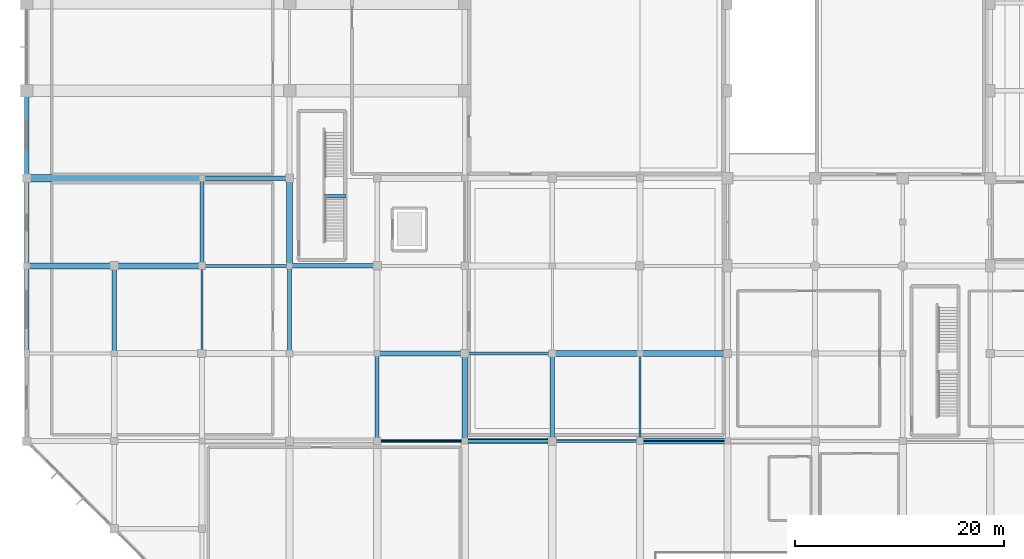
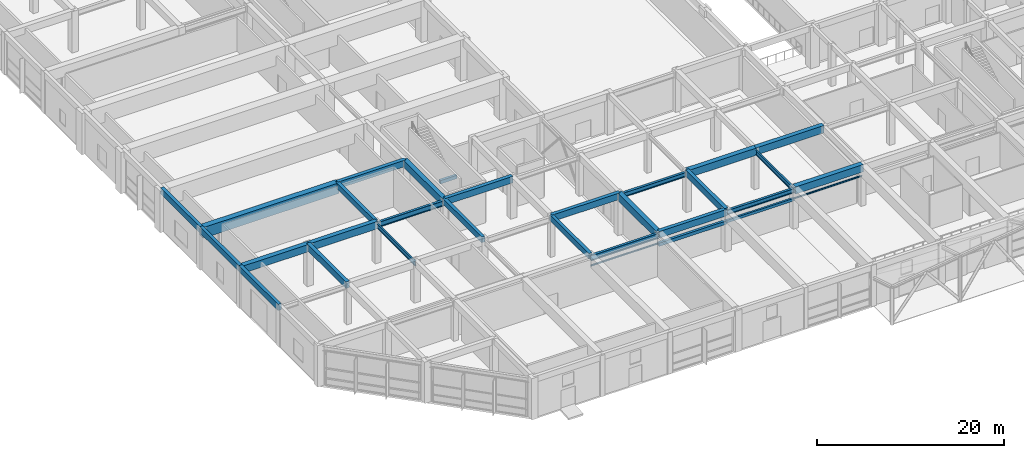
# One storey, part 12 of 62: 31 beams.
"""IFC4 building model written with IfcOpenShell, lengths in metres."""

from ifc_helpers import new_model, si_unit, direction, frame, origin, origin_2d, place, context, subcontext, project, spatial, rectangle, i_section, extrude, material, material_profile, profile_set, type_object, element, save


model = new_model("IFC4")

# Units and contexts
model_context = context("Model", 3, precision=1e-05, world=origin(), true_north=direction((0.0, 1.0)))
body_context = subcontext(model_context, "Body", "Model", "MODEL_VIEW")
ifc_project = project(units=[si_unit("LENGTHUNIT", "METRE"), si_unit("AREAUNIT", "SQUARE_METRE"), si_unit("VOLUMEUNIT", "CUBIC_METRE"), si_unit("PLANEANGLEUNIT", "RADIAN"), si_unit("MASSUNIT", "GRAM", prefix="KILO")], contexts=[model_context])

# Site, building, storey
site_placement = place(None, origin())
site = spatial("IfcSite", under=ifc_project, at=site_placement, CompositionType="ELEMENT")
building_placement = place(site_placement, origin())
building = spatial("IfcBuilding", under=site, at=building_placement, Name="Xuanlan Plaza Opera House", CompositionType="ELEMENT")
storey_placement = place(building_placement, origin())
storey = spatial("IfcBuildingStorey", under=building, at=storey_placement, Name="L00", CompositionType="ELEMENT", Elevation=0.0)

# Beams
ifc_material_1 = material(Name="Concrete C50", Category="concrete")
ifc_material_profile_1 = material_profile(ifc_material_1, rectangle(XDim=0.60009765625, YDim=0.949951171875, at=origin_2d()), Name="RC-BM 600x950")
ifc_profile_set_1 = profile_set([ifc_material_profile_1], Name="Concrete C50")
beam_type_1 = type_object("IfcBeamType", Name="STR-BM-B-01", PredefinedType="BEAM", material=ifc_profile_set_1)
beam_1_placement = place(storey_placement, frame((58.800048828125, 16.800048828125, 4.925048828125), z_axis=(1.0, 0.0, 0.0), x_axis=(0.0, 1.0, 0.0)))
element("IfcBeam", 1, at=beam_1_placement, inside=storey, type_object=beam_type_1, Name="Grid Beam X L00 8-9/C", PredefinedType="BEAM", context=body_context, shape_type="SweptSolid", body=[
    extrude(rectangle(XDim=0.60009765625, YDim=0.949951171875, at=origin_2d()), origin(), (0.0, 0.0, 1.0), 8.39990234375),
])
beam_2_placement = place(storey_placement, frame((50.39990234375, 25.199951171875, 4.925048828125), z_axis=(1.0, 0.0, 0.0), x_axis=(0.0, 1.0, 0.0)))
element("IfcBeam", 2, at=beam_2_placement, inside=storey, type_object=beam_type_1, Name="Grid Beam X L00 7-8/D", PredefinedType="BEAM", context=body_context, shape_type="SweptSolid", body=[
    extrude(rectangle(XDim=0.60009765625, YDim=0.949951171875, at=origin_2d()), origin(), (0.0, 0.0, 1.0), 8.400146484375),
])
beam_3_placement = place(storey_placement, frame((0.0, 33.60009765625, 4.925048828125), z_axis=(1.0, 0.0, 0.0), x_axis=(0.0, 1.0, 0.0)))
element("IfcBeam", 3, at=beam_3_placement, inside=storey, type_object=beam_type_1, Name="Grid Beam X L00 1-2/E", PredefinedType="BEAM", context=body_context, shape_type="SweptSolid", body=[
    extrude(rectangle(XDim=0.60009765625, YDim=0.949951171875, at=origin_2d()), origin(), (0.0, 0.0, 1.0), 8.39990234375),
])
ifc_material_profile_2 = material_profile(ifc_material_1, rectangle(XDim=0.550048828125, YDim=0.949951171875, at=origin_2d()), Name="RC-BM 550x950")
ifc_profile_set_2 = profile_set([ifc_material_profile_2], Name="Concrete C50")
beam_type_2 = type_object("IfcBeamType", Name="STR-BM-B-02", PredefinedType="BEAM", material=ifc_profile_set_2)
beam_4_placement = place(storey_placement, frame((58.800048828125, 25.199951171875, 4.925048828125), z_axis=(1.0, 0.0, 0.0), x_axis=(0.0, 1.0, 0.0)))
element("IfcBeam", 4, at=beam_4_placement, inside=storey, type_object=beam_type_2, Name="Grid Beam X L00 8-9/D", PredefinedType="BEAM", context=body_context, shape_type="SweptSolid", body=[
    extrude(rectangle(XDim=0.550048828125, YDim=0.949951171875, at=origin_2d()), origin(), (0.0, 0.0, 1.0), 8.39990234375),
])
beam_5_placement = place(storey_placement, frame((8.39990234375, 33.60009765625, 4.925048828125), z_axis=(1.0, 0.0, 0.0), x_axis=(0.0, 1.0, 0.0)))
element("IfcBeam", 5, at=beam_5_placement, inside=storey, type_object=beam_type_2, Name="Grid Beam X L00 2-3/E", PredefinedType="BEAM", context=body_context, shape_type="SweptSolid", body=[
    extrude(rectangle(XDim=0.550048828125, YDim=0.949951171875, at=origin_2d()), origin(), (0.0, 0.0, 1.0), 8.400146484375),
])
for number, where, z_axis, x_axis, name in (
    (6, (25.199951171875, 33.60009765625, 4.925048828125), (0.0, 1.0, 0.0), (-1.0, 0.0, 0.0), "Grid Beam Y L00 4/E-F"),
    (7, (42.0, 16.800048828125, 4.925048828125), (0.0, 1.0, 0.0), (-1.0, 0.0, 0.0), "Grid Beam Y L00 6/C-D"),
):
    element("IfcBeam", number, at=place(storey_placement, frame(where, z_axis=z_axis, x_axis=x_axis)), inside=storey, type_object=beam_type_2, Name=name, PredefinedType="BEAM", context=body_context, shape_type="SweptSolid", body=[
        extrude(rectangle(XDim=0.550048828125, YDim=0.949951171875, at=origin_2d()), origin(), (0.0, 0.0, 1.0), 8.39990234375),
    ])
ifc_material_2 = material(Name="Concrete C40", Category="concrete")
ifc_material_profile_3 = material_profile(ifc_material_2, rectangle(XDim=0.449951171875, YDim=0.85009765625, at=origin_2d()), Name="RC-BM 450x850")
ifc_profile_set_3 = profile_set([ifc_material_profile_3], Name="Concrete C40")
beam_type_3 = type_object("IfcBeamType", Name="STR-BM-B-04", PredefinedType="BEAM", material=ifc_profile_set_3)
for number, where, z_axis, x_axis, name in (
    (8, (42.0, 16.800048828125, 4.97509765625), (1.0, 0.0, 0.0), (0.0, 1.0, 0.0), "Grid Beam X L00 6-7/C"),
    (9, (33.60009765625, 25.199951171875, 4.97509765625), (1.0, 0.0, 0.0), (0.0, 1.0, 0.0), "Grid Beam X L00 5-6/D"),
):
    element("IfcBeam", number, at=place(storey_placement, frame(where, z_axis=z_axis, x_axis=x_axis)), inside=storey, type_object=beam_type_3, Name=name, PredefinedType="BEAM", context=body_context, shape_type="SweptSolid", body=[
        extrude(rectangle(XDim=0.449951171875, YDim=0.85009765625, at=origin_2d()), origin(), (0.0, 0.0, 1.0), 8.39990234375),
    ])
beam_6_placement = place(storey_placement, frame((25.199951171875, 33.60009765625, 4.97509765625), z_axis=(1.0, 0.0, 0.0), x_axis=(0.0, 1.0, 0.0)))
element("IfcBeam", 10, at=beam_6_placement, inside=storey, type_object=beam_type_3, Name="Grid Beam X L00 4-5/E", PredefinedType="BEAM", context=body_context, shape_type="SweptSolid", body=[
    extrude(rectangle(XDim=0.449951171875, YDim=0.85009765625, at=origin_2d()), origin(), (0.0, 0.0, 1.0), 8.400146484375),
])
beam_7_placement = place(storey_placement, frame((16.800048828125, 42.0, 4.97509765625), z_axis=(1.0, 0.0, 0.0), x_axis=(0.0, 1.0, 0.0)))
element("IfcBeam", 11, at=beam_7_placement, inside=storey, type_object=beam_type_3, Name="Grid Beam X L00 3-4/F", PredefinedType="BEAM", context=body_context, shape_type="SweptSolid", body=[
    extrude(rectangle(XDim=0.449951171875, YDim=0.85009765625, at=origin_2d()), origin(), (0.0, 0.0, 1.0), 8.39990234375),
])
beam_8_placement = place(storey_placement, frame((8.39990234375, 25.199951171875, 4.97509765625), z_axis=(0.0, 1.0, 0.0), x_axis=(-1.0, 0.0, 0.0)))
element("IfcBeam", 12, at=beam_8_placement, inside=storey, type_object=beam_type_3, Name="Grid Beam Y L00 2/D-E", PredefinedType="BEAM", context=body_context, shape_type="SweptSolid", body=[
    extrude(rectangle(XDim=0.449951171875, YDim=0.85009765625, at=origin_2d()), origin(), (0.0, 0.0, 1.0), 8.400146484375),
])
beam_9_placement = place(storey_placement, frame((50.39990234375, 16.800048828125, 4.97509765625), z_axis=(0.0, 1.0, 0.0), x_axis=(-1.0, 0.0, 0.0)))
element("IfcBeam", 13, at=beam_9_placement, inside=storey, type_object=beam_type_3, Name="Grid Beam Y L00 7/C-D", PredefinedType="BEAM", context=body_context, shape_type="SweptSolid", body=[
    extrude(rectangle(XDim=0.449951171875, YDim=0.85009765625, at=origin_2d()), origin(), (0.0, 0.0, 1.0), 8.39990234375),
])
ifc_material_profile_4 = material_profile(ifc_material_2, rectangle(XDim=0.39990234375, YDim=0.75, at=origin_2d()), Name="RC-BM 400x750")
ifc_profile_set_4 = profile_set([ifc_material_profile_4], Name="Concrete C40")
beam_type_4 = type_object("IfcBeamType", Name="STR-BM-B-06", PredefinedType="BEAM", material=ifc_profile_set_4)
beam_10_placement = place(storey_placement, frame((16.800048828125, 33.60009765625, 5.02490234375), z_axis=(0.0, 1.0, 0.0), x_axis=(-1.0, 0.0, 0.0)))
element("IfcBeam", 14, at=beam_10_placement, inside=storey, type_object=beam_type_4, Name="Grid Beam Y L00 3/E-F", PredefinedType="BEAM", context=body_context, shape_type="SweptSolid", body=[
    extrude(rectangle(XDim=0.39990234375, YDim=0.75, at=origin_2d()), origin(), (0.0, 0.0, 1.0), 8.39990234375),
])
beam_11_placement = place(storey_placement, frame((25.199951171875, 25.199951171875, 5.02490234375), z_axis=(0.0, 1.0, 0.0), x_axis=(-1.0, 0.0, 0.0)))
element("IfcBeam", 15, at=beam_11_placement, inside=storey, type_object=beam_type_4, Name="Grid Beam Y L00 4/D-E", PredefinedType="BEAM", context=body_context, shape_type="SweptSolid", body=[
    extrude(rectangle(XDim=0.39990234375, YDim=0.75, at=origin_2d()), origin(), (0.0, 0.0, 1.0), 8.400146484375),
])
beam_12_placement = place(storey_placement, frame((33.60009765625, 16.800048828125, 5.02490234375), z_axis=(0.0, 1.0, 0.0), x_axis=(-1.0, 0.0, 0.0)))
element("IfcBeam", 16, at=beam_12_placement, inside=storey, type_object=beam_type_4, Name="Grid Beam Y L00 5/C-D", PredefinedType="BEAM", context=body_context, shape_type="SweptSolid", body=[
    extrude(rectangle(XDim=0.39990234375, YDim=0.75, at=origin_2d()), origin(), (0.0, 0.0, 1.0), 8.39990234375),
])
ifc_material_profile_5 = material_profile(ifc_material_1, rectangle(XDim=0.699951171875, YDim=1.39990234375, at=origin_2d()), Name="RC-LG 700x1400")
ifc_profile_set_5 = profile_set([ifc_material_profile_5], Name="Concrete C50")
beam_type_5 = type_object("IfcBeamType", Name="STR-BM-LG-01", PredefinedType="BEAM", material=ifc_profile_set_5)
beam_13_placement = place(storey_placement, frame((0.0, 42.0, 4.699951171875), z_axis=(1.0, 0.0, 0.0), x_axis=(0.0, 1.0, 0.0)))
element("IfcBeam", 17, at=beam_13_placement, inside=storey, type_object=beam_type_5, Name="Grid Beam X L00 1-3/F", PredefinedType="BEAM", context=body_context, shape_type="SweptSolid", body=[
    extrude(rectangle(XDim=0.699951171875, YDim=1.39990234375, at=origin_2d()), origin(), (0.0, 0.0, 1.0), 16.800048828125),
])
ifc_material_profile_6 = material_profile(ifc_material_2, rectangle(XDim=0.239990234375, YDim=0.35009765625, at=origin_2d()), Name="RC-LNT 240x350")
ifc_profile_set_6 = profile_set([ifc_material_profile_6], Name="Concrete C40")
beam_type_6 = type_object("IfcBeamType", Name="STR-BM-LN-02", PredefinedType="LINTEL", material=ifc_profile_set_6)
beam_14_placement = place(storey_placement, frame((50.39990234375, 16.800048828125, 3.675048828125), z_axis=(1.0, 0.0, 0.0), x_axis=(0.0, 1.0, 0.0)))
element("IfcBeam", 18, at=beam_14_placement, inside=storey, type_object=beam_type_6, Name="Backstage Portal Lintel Beam L00-06", PredefinedType="LINTEL", context=body_context, shape_type="SweptSolid", body=[
    extrude(rectangle(XDim=0.239990234375, YDim=0.35009765625, at=origin_2d()), origin(), (0.0, 0.0, 1.0), 8.400146484375),
])
ifc_material_3 = material(Name="Steel Q355B", Category="steel")
ifc_material_profile_7 = material_profile(ifc_material_3, i_section(OverallWidth=0.10009765625, OverallDepth=0.199951171875, WebThickness=0.005615234375, FlangeThickness=0.008056640625, FilletRadius=0.010986328125, at=origin_2d()), Name="HN 200x100x5.5x8")
ifc_profile_set_7 = profile_set([ifc_material_profile_7], Name="Steel Q355B")
beam_type_7 = type_object("IfcBeamType", Name="STR-BM-LN-03", PredefinedType="LINTEL", material=ifc_profile_set_7)
for number, where, z_axis, x_axis, name in (
    (19, (33.60009765625, 16.800048828125, 3.75), (1.0, 0.0, 0.0), (0.0, 1.0, 0.0), "Backstage Portal Lintel Beam L00-04"),
    (20, (58.800048828125, 16.800048828125, 3.75), (1.0, 0.0, 0.0), (0.0, 1.0, 0.0), "Backstage Portal Lintel Beam L00-07"),
):
    element("IfcBeam", number, at=place(storey_placement, frame(where, z_axis=z_axis, x_axis=x_axis)), inside=storey, type_object=beam_type_7, Name=name, PredefinedType="LINTEL", context=body_context, shape_type="SweptSolid", body=[
        extrude(i_section(OverallWidth=0.10009765625, OverallDepth=0.199951171875, WebThickness=0.005615234375, FlangeThickness=0.008056640625, FilletRadius=0.010986328125, at=origin_2d()), origin(), (0.0, 0.0, 1.0), 8.39990234375),
    ])
ifc_material_profile_8 = material_profile(ifc_material_2, rectangle(XDim=0.320068359375, YDim=0.419921875, at=origin_2d()), Name="RC-LNT 320x420")
ifc_profile_set_8 = profile_set([ifc_material_profile_8], Name="Concrete C40")
beam_type_8 = type_object("IfcBeamType", Name="STR-BM-LN-04", PredefinedType="LINTEL", material=ifc_profile_set_8)
beam_15_placement = place(storey_placement, frame((28.5, 40.27490234375, 2.2900390625), z_axis=(1.0, 0.0, 0.0), x_axis=(0.0, 1.0, 0.0)))
element("IfcBeam", 21, at=beam_15_placement, inside=storey, type_object=beam_type_8, Name="Stair Mid-Landing Trimmer Beam ST-P1 L00", PredefinedType="LINTEL", context=body_context, shape_type="SweptSolid", body=[
    extrude(rectangle(XDim=0.320068359375, YDim=0.419921875, at=origin_2d()), origin(), (0.0, 0.0, 1.0), 2.050048828125),
])
ifc_material_profile_9 = material_profile(ifc_material_2, rectangle(XDim=0.320068359375, YDim=0.43994140625, at=origin_2d()), Name="RC-LNT 320x440")
ifc_profile_set_9 = profile_set([ifc_material_profile_9], Name="Concrete C40")
beam_type_9 = type_object("IfcBeamType", Name="STR-BM-LN-05", PredefinedType="LINTEL", material=ifc_profile_set_9)
beam_16_placement = place(storey_placement, frame((42.0, 16.800048828125, 3.6298828125), z_axis=(1.0, 0.0, 0.0), x_axis=(0.0, 1.0, 0.0)))
element("IfcBeam", 22, at=beam_16_placement, inside=storey, type_object=beam_type_9, Name="Backstage Portal Lintel Beam L00-05", PredefinedType="LINTEL", context=body_context, shape_type="SweptSolid", body=[
    extrude(rectangle(XDim=0.320068359375, YDim=0.43994140625, at=origin_2d()), origin(), (0.0, 0.0, 1.0), 8.39990234375),
])
ifc_material_profile_10 = material_profile(ifc_material_3, i_section(OverallWidth=0.300048828125, OverallDepth=0.699951171875, WebThickness=0.012939453125, FlangeThickness=0.02392578125, FilletRadius=0.02392578125, at=origin_2d()), Name="HN 700x300x13x24")
ifc_profile_set_10 = profile_set([ifc_material_profile_10], Name="Steel Q355B")
beam_type_10 = type_object("IfcBeamType", Name="STR-BM-SB-03", PredefinedType="BEAM", material=ifc_profile_set_10)
for number, where, z_axis, x_axis, name in (
    (23, (33.60009765625, 16.800048828125, 4.784912109375), (1.0, 0.0, 0.0), (0.0, 1.0, 0.0), "Grid Beam X L00 5-6/C"),
    (24, (16.800048828125, 33.60009765625, 4.784912109375), (1.0, 0.0, 0.0), (0.0, 1.0, 0.0), "Grid Beam X L00 3-4/E"),
):
    element("IfcBeam", number, at=place(storey_placement, frame(where, z_axis=z_axis, x_axis=x_axis)), inside=storey, type_object=beam_type_10, Name=name, PredefinedType="BEAM", context=body_context, shape_type="SweptSolid", body=[
        extrude(i_section(OverallWidth=0.300048828125, OverallDepth=0.699951171875, WebThickness=0.012939453125, FlangeThickness=0.02392578125, FilletRadius=0.02392578125, at=origin_2d()), origin(), (0.0, 0.0, 1.0), 8.39990234375),
    ])
ifc_material_profile_11 = material_profile(ifc_material_3, i_section(OverallWidth=0.199951171875, OverallDepth=0.60009765625, WebThickness=0.010986328125, FlangeThickness=0.01708984375, FilletRadius=0.02197265625, at=origin_2d()), Name="HN 600x200x11x17")
ifc_profile_set_11 = profile_set([ifc_material_profile_11], Name="Steel Q355B")
beam_type_11 = type_object("IfcBeamType", Name="STR-BM-SB-04", PredefinedType="BEAM", material=ifc_profile_set_11)
beam_17_placement = place(storey_placement, frame((16.800048828125, 25.199951171875, 4.8349609375), z_axis=(0.0, 1.0, 0.0), x_axis=(-1.0, 0.0, 0.0)))
element("IfcBeam", 25, at=beam_17_placement, inside=storey, type_object=beam_type_11, Name="Grid Beam Y L00 3/D-E", PredefinedType="BEAM", context=body_context, shape_type="SweptSolid", body=[
    extrude(i_section(OverallWidth=0.199951171875, OverallDepth=0.60009765625, WebThickness=0.010986328125, FlangeThickness=0.01708984375, FilletRadius=0.02197265625, at=origin_2d()), origin(), (0.0, 0.0, 1.0), 8.400146484375),
])
beam_18_placement = place(storey_placement, frame((58.800048828125, 16.800048828125, 4.8349609375), z_axis=(0.0, 1.0, 0.0), x_axis=(-1.0, 0.0, 0.0)))
element("IfcBeam", 26, at=beam_18_placement, inside=storey, type_object=beam_type_11, Name="Grid Beam Y L00 8/C-D", PredefinedType="BEAM", context=body_context, shape_type="SweptSolid", body=[
    extrude(i_section(OverallWidth=0.199951171875, OverallDepth=0.60009765625, WebThickness=0.010986328125, FlangeThickness=0.01708984375, FilletRadius=0.02197265625, at=origin_2d()), origin(), (0.0, 0.0, 1.0), 8.39990234375),
])
ifc_material_profile_12 = material_profile(ifc_material_3, i_section(OverallWidth=0.300048828125, OverallDepth=0.587890625, WebThickness=0.011962890625, FlangeThickness=0.02001953125, FilletRadius=0.02392578125, at=origin_2d()), Name="HM 588x300x12x20")
ifc_profile_set_12 = profile_set([ifc_material_profile_12], Name="Steel Q355B")
beam_type_12 = type_object("IfcBeamType", Name="STR-BM-SB-06", PredefinedType="BEAM", material=ifc_profile_set_12)
beam_19_placement = place(storey_placement, frame((50.39990234375, 16.800048828125, 4.841064453125), z_axis=(1.0, 0.0, 0.0), x_axis=(0.0, 1.0, 0.0)))
element("IfcBeam", 27, at=beam_19_placement, inside=storey, type_object=beam_type_12, Name="Grid Beam X L00 7-8/C", PredefinedType="BEAM", context=body_context, shape_type="SweptSolid", body=[
    extrude(i_section(OverallWidth=0.300048828125, OverallDepth=0.587890625, WebThickness=0.011962890625, FlangeThickness=0.02001953125, FilletRadius=0.02392578125, at=origin_2d()), origin(), (0.0, 0.0, 1.0), 8.400146484375),
])
beam_20_placement = place(storey_placement, frame((42.0, 25.199951171875, 4.841064453125), z_axis=(1.0, 0.0, 0.0), x_axis=(0.0, 1.0, 0.0)))
element("IfcBeam", 28, at=beam_20_placement, inside=storey, type_object=beam_type_12, Name="Grid Beam X L00 6-7/D", PredefinedType="BEAM", context=body_context, shape_type="SweptSolid", body=[
    extrude(i_section(OverallWidth=0.300048828125, OverallDepth=0.587890625, WebThickness=0.011962890625, FlangeThickness=0.02001953125, FilletRadius=0.02392578125, at=origin_2d()), origin(), (0.0, 0.0, 1.0), 8.39990234375),
])
ifc_material_profile_13 = material_profile(ifc_material_2, rectangle(XDim=0.39990234375, YDim=0.800048828125, at=origin_2d()), Name="RC-SPD 400x800")
ifc_profile_set_13 = profile_set([ifc_material_profile_13], Name="Concrete C40")
beam_type_13 = type_object("IfcBeamType", Name="STR-BM-SP-01", PredefinedType="SPANDREL", material=ifc_profile_set_13)
beam_21_placement = place(storey_placement, frame((0.0, 25.199951171875, 5.0), z_axis=(0.0, 1.0, 0.0), x_axis=(-1.0, 0.0, 0.0)))
element("IfcBeam", 29, at=beam_21_placement, inside=storey, type_object=beam_type_13, Name="Grid Beam Y L00 1/D-E", PredefinedType="SPANDREL", context=body_context, shape_type="SweptSolid", body=[
    extrude(rectangle(XDim=0.39990234375, YDim=0.800048828125, at=origin_2d()), origin(), (0.0, 0.0, 1.0), 8.400146484375),
])
for number, where, z_axis, x_axis, name in (
    (30, (0.0, 33.60009765625, 5.0), (0.0, 1.0, 0.0), (-1.0, 0.0, 0.0), "Grid Beam Y L00 1/E-F"),
    (31, (0.0, 42.0, 5.0), (0.0, 1.0, 0.0), (-1.0, 0.0, 0.0), "Grid Beam Y L00 1/F-G"),
):
    element("IfcBeam", number, at=place(storey_placement, frame(where, z_axis=z_axis, x_axis=x_axis)), inside=storey, type_object=beam_type_13, Name=name, PredefinedType="SPANDREL", context=body_context, shape_type="SweptSolid", body=[
        extrude(rectangle(XDim=0.39990234375, YDim=0.800048828125, at=origin_2d()), origin(), (0.0, 0.0, 1.0), 8.39990234375),
    ])

save(model, "model.ifc")
